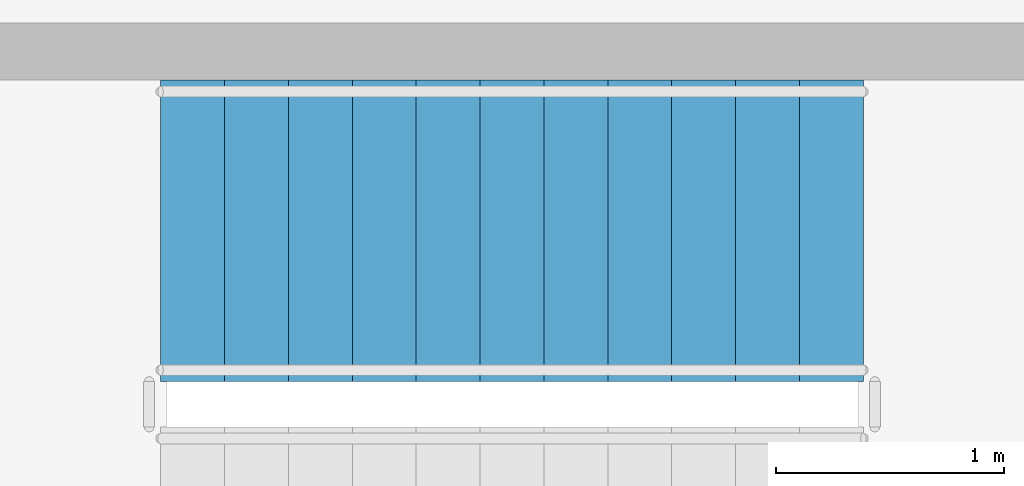
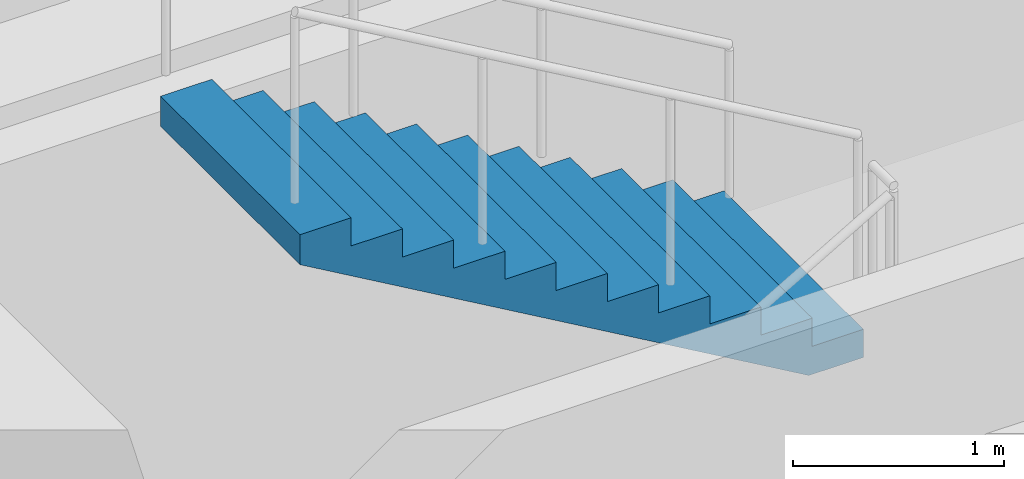
# One storey, part 7 of 8: 1 stair flight, 1 element without a shape of its own.
"""IFC4 building model written with IfcOpenShell, lengths in metres."""

from ifc_helpers import new_model, si_unit, direction, frame, origin, place, context, subcontext, project, spatial, polyline, outline, extrude, material, type_object, element, aggregate, save


model = new_model("IFC4")

# Units and contexts
model_context = context("Model", 3, precision=1e-05, world=origin(), true_north=direction((0.0, 1.0)))
body_context = subcontext(model_context, "Body", "Model", "MODEL_VIEW")
ifc_project = project(units=[si_unit("LENGTHUNIT", "METRE"), si_unit("AREAUNIT", "SQUARE_METRE"), si_unit("VOLUMEUNIT", "CUBIC_METRE"), si_unit("PLANEANGLEUNIT", "RADIAN"), si_unit("MASSUNIT", "GRAM", prefix="KILO")], contexts=[model_context])

# Site, building, storey
site_placement = place(None, origin())
site = spatial("IfcSite", under=ifc_project, at=site_placement, CompositionType="ELEMENT")
building_placement = place(site_placement, origin())
building = spatial("IfcBuilding", under=site, at=building_placement, Name="Solnavia Interchange Tower", CompositionType="ELEMENT")
storey_placement = place(building_placement, frame((0.0, 0.0, 35.699951171875)))
storey = spatial("IfcBuildingStorey", under=building, at=storey_placement, Name="L08", CompositionType="ELEMENT", Elevation=35.699951171875)

# Stair, stair flight
ifc_material = material(Name="Concrete C40/50", Category="concrete")
stair_type = type_object("IfcStairType", Name="Stair-Dogleg-RC", PredefinedType="HALF_TURN_STAIR", material=ifc_material)
stair_placement = place(storey_placement, origin())
stair = element("IfcStair", 1, at=stair_placement, inside=storey, type_object=stair_type, Name="L08 Core exit stair 3", PredefinedType="HALF_TURN_STAIR")
stair_flight_type = type_object("IfcStairFlightType", Name="StairFlight-RC-150", PredefinedType="STRAIGHT", material=ifc_material)
stair_flight_placement = place(storey_placement, frame((19.22998046875, 23.830078125, 1.949951171875), z_axis=(0.0, 0.0, 1.0), x_axis=(-1.0, 0.0, 0.0)))
stair_flight = element("IfcStairFlight", 2, at=stair_flight_placement, type_object=stair_flight_type, Name="ST-3 flight 2", NumberOfRisers=12, NumberOfTreads=11, PredefinedType="STRAIGHT", RiserHeight=0.1625, TreadLength=0.28, context=body_context, shape_type="SweptSolid", body=[
    extrude(outline(polyline([(0.0, 0.0), (0.0, 0.16259765625), (0.280029296875, 0.16259765625), (0.280029296875, 0.324951171875), (0.56005859375, 0.324951171875), (0.56005859375, 0.487548828125), (0.840087890625, 0.487548828125), (0.840087890625, 0.64990234375), (1.1201171875, 0.64990234375), (1.1201171875, 0.8125), (1.39990234375, 0.8125), (1.39990234375, 0.97509765625), (1.679931640625, 0.97509765625), (1.679931640625, 1.137451171875), (1.9599609375, 1.137451171875), (1.9599609375, 1.300048828125), (2.239990234375, 1.300048828125), (2.239990234375, 1.46240234375), (2.52001953125, 1.46240234375), (2.52001953125, 1.625), (2.800048828125, 1.625), (2.800048828125, 1.78759765625), (3.080078125, 1.78759765625), (3.080078125, 1.949951171875), (3.080078125, 1.6142578125), (0.298583984375, 0.0), (0.0, 0.0)])), frame((0.0, 0.66015625, 0.0), z_axis=(0.0, -1.0, 0.0), x_axis=(1.0, 0.0, 0.0)), (0.0, 0.0, 1.0), 1.320068359375),
])
aggregate(stair, [stair_flight])

save(model, "model.ifc")
